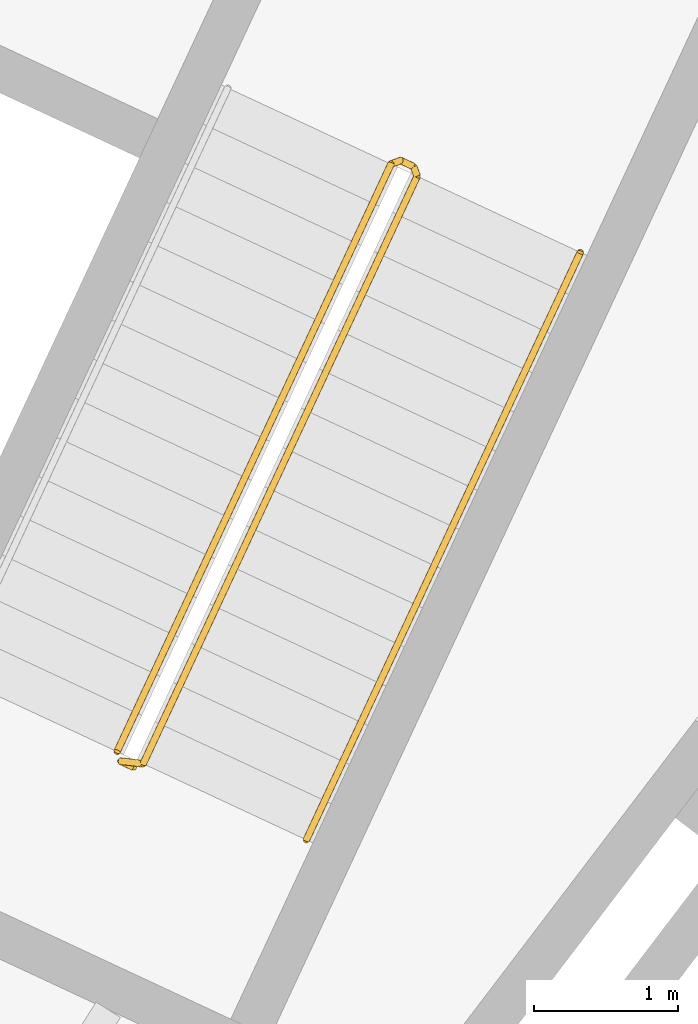
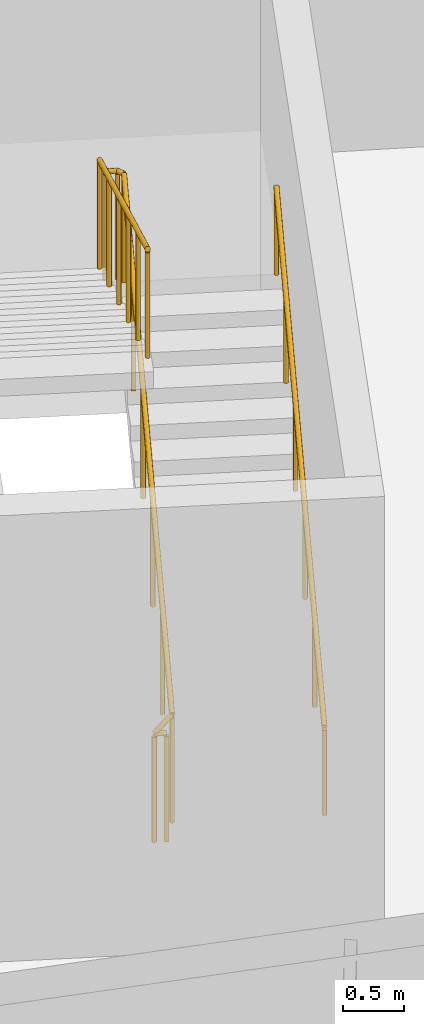
# One storey, part 26 of 26: 2 railings.
"""IFC4 building model written with IfcOpenShell, lengths in metres."""

from ifc_helpers import new_model, si_unit, direction, frame, origin, origin_2d, place, context, subcontext, project, spatial, circle, extrude, material, type_object, element, save


model = new_model("IFC4")

# Units and contexts
model_context = context("Model", 3, precision=1e-05, world=origin(), true_north=direction((0.0, 1.0)))
body_context = subcontext(model_context, "Body", "Model", "MODEL_VIEW")
ifc_project = project(units=[si_unit("LENGTHUNIT", "METRE"), si_unit("AREAUNIT", "SQUARE_METRE"), si_unit("VOLUMEUNIT", "CUBIC_METRE"), si_unit("PLANEANGLEUNIT", "RADIAN"), si_unit("MASSUNIT", "GRAM", prefix="KILO")], contexts=[model_context])

# Site, building, storey
site_placement = place(None, origin())
site = spatial("IfcSite", under=ifc_project, at=site_placement, CompositionType="ELEMENT")
building_placement = place(site_placement, origin())
building = spatial("IfcBuilding", under=site, at=building_placement, Name="Tuul Gate Civic Tower", CompositionType="ELEMENT")
storey_placement = place(building_placement, frame((0.0, 0.0, 7.5)))
storey = spatial("IfcBuildingStorey", under=building, at=storey_placement, Name="Level 01", CompositionType="ELEMENT", Elevation=7.5)

# Railings
ifc_material_1 = material(Name="Painted steel", Category="steel")
railing_type_1 = type_object("IfcRailingType", Name="Stair guard", PredefinedType="GUARDRAIL", material=ifc_material_1)
railing_1_placement = place(storey_placement, frame((33.645751953125, -5.238525390625, 0.0)))
element("IfcRailing", 1, at=railing_1_placement, inside=storey, type_object=railing_type_1, Name="Level 01 ST-4 stair guard 1", PredefinedType="GUARDRAIL", context=body_context, shape_type="SweptSolid", body=[
    extrude(circle(Radius=0.02392578125, at=origin_2d()), frame((0.0, 0.0, 1.076171875), z_axis=(-0.906307919131, 0.422617978463, 0.0), x_axis=(-0.422617978463, -0.906307919131, 0.0)), (0.0, 0.0, 1.0), 0.099853515625),
    extrude(circle(Radius=0.02392578125, at=origin_2d()), frame((-0.090576171875, 0.042236328125, 1.076171875), z_axis=(0.720735628292, -0.082946246491, 0.688229666829), x_axis=(0.114330889033, 0.993442724979, 0.0)), (0.0, 0.0, 1.0), 0.2177734375),
    extrude(circle(Radius=0.02392578125, at=origin_2d()), frame((0.06640625, 0.024169921875, 1.22607421875), z_axis=(0.377973126322, 0.810635649661, 0.447220481728), x_axis=(-0.906321697749, 0.42258842884, 0.0)), (0.0, 0.0, 1.0), 5.031005859375),
    extrude(circle(Radius=0.02392578125, at=origin_2d()), frame((1.968017578125, 4.1025390625, 3.47607421875), z_axis=(-0.342020437038, 0.939692513883, 0.0), x_axis=(-0.939692513883, -0.342020437038, 0.0)), (0.0, 0.0, 1.0), 0.070556640625),
    extrude(circle(Radius=0.02392578125, at=origin_2d()), frame((1.94384765625, 4.1689453125, 3.47607421875), z_axis=(-0.906307919131, 0.422617978463, 0.0), x_axis=(-0.422617978463, -0.906307919131, 0.0)), (0.0, 0.0, 1.0), 0.099853515625),
    extrude(circle(Radius=0.02392578125, at=origin_2d()), frame((1.853271484375, 4.211181640625, 3.47607421875), z_axis=(-0.401403317148, -0.145563840285, 0.90426021995), x_axis=(0.340913456846, -0.94009468403, 0.0)), (0.0, 0.0, 1.0), 0.166015625),
    extrude(circle(Radius=0.02392578125, at=origin_2d()), frame((1.78662109375, 4.18701171875, 3.6259765625), z_axis=(-0.377931531328, -0.81065051757, 0.447228684222), x_axis=(0.906342476667, -0.422543861615, 0.0)), (0.0, 0.0, 1.0), 5.031005859375),
    extrude(circle(Radius=0.02099609375, at=origin_2d()), origin(), (0.0, 0.0, 1.0), 1.052001953125),
    extrude(circle(Radius=0.02099609375, at=origin_2d()), frame((-0.090576171875, 0.042236328125, 0.0)), (0.0, 0.0, 1.0), 1.052001953125),
    extrude(circle(Radius=0.02099609375, at=origin_2d()), frame((0.06640625, 0.024169921875, 0.14990234375)), (0.0, 0.0, 1.0), 1.052001953125),
    extrude(circle(Radius=0.02099609375, at=origin_2d()), frame((0.44677734375, 0.83984375, 0.599853515625)), (0.0, 0.0, 1.0), 1.052001953125),
    extrude(circle(Radius=0.02099609375, at=origin_2d()), frame((0.8271484375, 1.655517578125, 1.0498046875)), (0.0, 0.0, 1.0), 1.052001953125),
    extrude(circle(Radius=0.02099609375, at=origin_2d()), frame((1.207275390625, 2.47119140625, 1.5)), (0.0, 0.0, 1.0), 1.052001953125),
    extrude(circle(Radius=0.02099609375, at=origin_2d()), frame((1.587646484375, 3.286865234375, 1.949951171875)), (0.0, 0.0, 1.0), 1.052001953125),
    extrude(circle(Radius=0.02099609375, at=origin_2d()), frame((1.968017578125, 4.1025390625, 2.39990234375)), (0.0, 0.0, 1.0), 1.052001953125),
    extrude(circle(Radius=0.02099609375, at=origin_2d()), frame((1.94384765625, 4.1689453125, 2.39990234375)), (0.0, 0.0, 1.0), 1.052001953125),
    extrude(circle(Radius=0.02099609375, at=origin_2d()), frame((1.853271484375, 4.211181640625, 2.39990234375)), (0.0, 0.0, 1.0), 1.052001953125),
    extrude(circle(Radius=0.02099609375, at=origin_2d()), frame((1.78662109375, 4.18701171875, 2.550048828125)), (0.0, 0.0, 1.0), 1.052001953125),
    extrude(circle(Radius=0.02099609375, at=origin_2d()), frame((1.40625, 3.371337890625, 3.0)), (0.0, 0.0, 1.0), 1.052001953125),
    extrude(circle(Radius=0.02099609375, at=origin_2d()), frame((1.026123046875, 2.5556640625, 3.449951171875)), (0.0, 0.0, 1.0), 1.052001953125),
    extrude(circle(Radius=0.02099609375, at=origin_2d()), frame((0.645751953125, 1.739990234375, 3.900146484375)), (0.0, 0.0, 1.0), 1.052001953125),
    extrude(circle(Radius=0.02099609375, at=origin_2d()), frame((0.265625, 0.92431640625, 4.35009765625)), (0.0, 0.0, 1.0), 1.052001953125),
    extrude(circle(Radius=0.02099609375, at=origin_2d()), frame((-0.11474609375, 0.108642578125, 4.800048828125)), (0.0, 0.0, 1.0), 1.052001953125),
])
ifc_material_2 = material(Name="Painted steel", Category="steel")
railing_type_2 = type_object("IfcRailingType", Name="Stair handrail", PredefinedType="HANDRAIL", material=ifc_material_2)
railing_2_placement = place(storey_placement, frame((34.844970703125, -5.74267578125, 0.14990234375)))
element("IfcRailing", 2, at=railing_2_placement, inside=storey, type_object=railing_type_2, Name="Level 01 ST-4 stair handrail 1", PredefinedType="HANDRAIL", context=body_context, shape_type="SweptSolid", body=[
    extrude(circle(Radius=0.02392578125, at=origin_2d()), frame((0.0, 0.0, 0.8759765625), z_axis=(0.377958258299, 0.810652286962, 0.447202889779), x_axis=(-0.906331385859, 0.422567650213, 0.0)), (0.0, 0.0, 1.0), 5.03125),
    extrude(circle(Radius=0.02099609375, at=origin_2d()), origin(), (0.0, 0.0, 1.0), 0.851806640625),
    extrude(circle(Radius=0.02099609375, at=origin_2d()), frame((0.38037109375, 0.815673828125, 0.449951171875)), (0.0, 0.0, 1.0), 0.851806640625),
    extrude(circle(Radius=0.02099609375, at=origin_2d()), frame((0.7607421875, 1.63134765625, 0.89990234375)), (0.0, 0.0, 1.0), 0.851806640625),
    extrude(circle(Radius=0.02099609375, at=origin_2d()), frame((1.140869140625, 2.447265625, 1.35009765625)), (0.0, 0.0, 1.0), 0.851806640625),
    extrude(circle(Radius=0.02099609375, at=origin_2d()), frame((1.521240234375, 3.262939453125, 1.800048828125)), (0.0, 0.0, 1.0), 0.851806640625),
    extrude(circle(Radius=0.02099609375, at=origin_2d()), frame((1.901611328125, 4.07861328125, 2.25)), (0.0, 0.0, 1.0), 0.851806640625),
])

save(model, "model.ifc")
